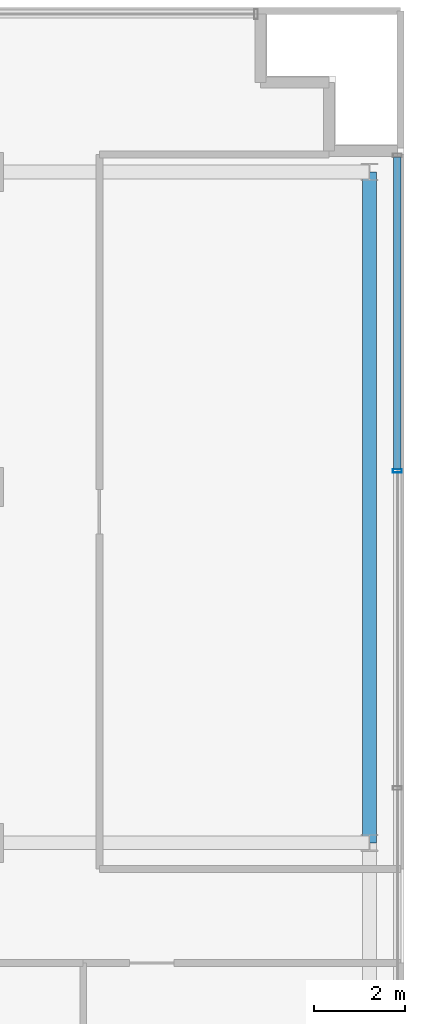
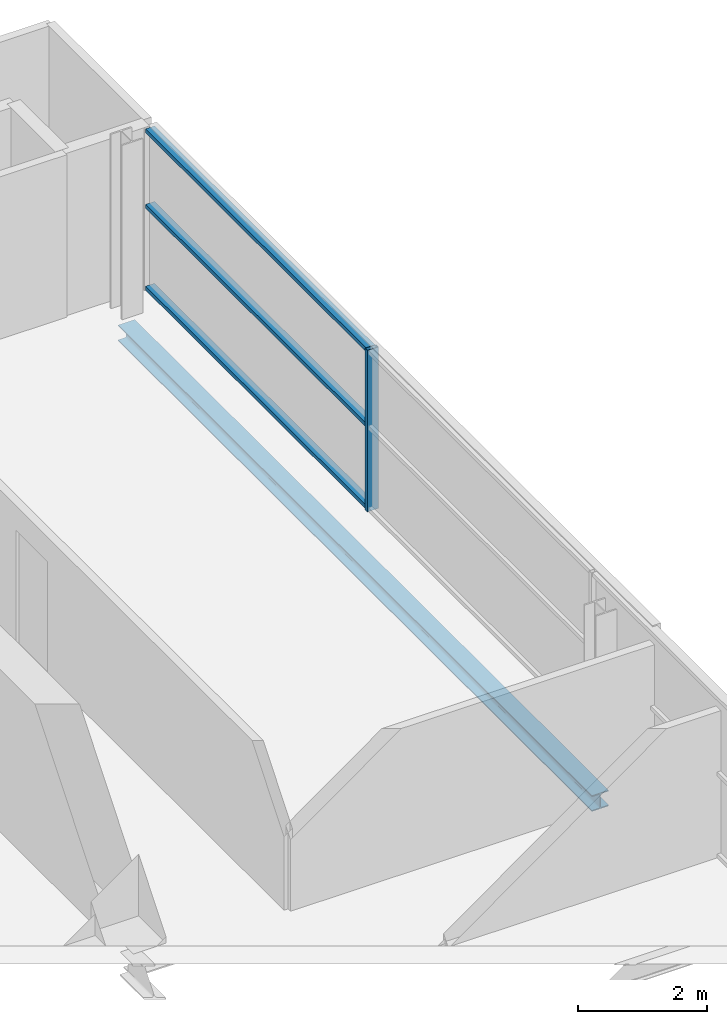
# One storey, part 10 of 21: 4 members, 1 beam, 1 element without a shape of its own.
"""IFC4 building model written with IfcOpenShell, lengths in metres."""

from ifc_helpers import new_model, si_unit, direction, frame, origin, origin_2d, place, context, subcontext, project, spatial, hollow_rectangle, i_section, extrude, source, transform, mapped, material, layer, layer_set, material_profile, profile_set, type_object, element, aggregate, save


model = new_model("IFC4")

# Units and contexts
model_context = context("Model", 3, precision=1e-05, world=origin(), true_north=direction((0.0, 1.0)))
body_context = subcontext(model_context, "Body", "Model", "MODEL_VIEW")
ifc_project = project(units=[si_unit("LENGTHUNIT", "METRE"), si_unit("AREAUNIT", "SQUARE_METRE"), si_unit("VOLUMEUNIT", "CUBIC_METRE"), si_unit("PLANEANGLEUNIT", "RADIAN"), si_unit("MASSUNIT", "GRAM", prefix="KILO")], contexts=[model_context])

# Site, building, storey
site_placement = place(None, origin())
site = spatial("IfcSite", under=ifc_project, at=site_placement, CompositionType="ELEMENT")
building_placement = place(site_placement, origin())
building = spatial("IfcBuilding", under=site, at=building_placement, Name="Zarnakvel Exchange Tower", CompositionType="ELEMENT")
storey_placement = place(building_placement, frame((0.0, 0.0, 241.89990234375)))
storey = spatial("IfcBuildingStorey", under=building, at=storey_placement, Name="L68", CompositionType="ELEMENT", Elevation=241.89990234375)

# Beam
ifc_material_1 = material(Name="Steel S355", Category="steel")
ifc_material_profile_1 = material_profile(ifc_material_1, i_section(OverallWidth=0.300048828125, OverallDepth=0.300048828125, WebThickness=0.010986328125, FlangeThickness=0.01904296875, FilletRadius=0.027099609375, at=origin_2d()))
ifc_profile_set_1 = profile_set([ifc_material_profile_1], Name="Steel S355")
beam_type = type_object("IfcBeamType", Name="SP-03", PredefinedType="SPANDREL", material=ifc_profile_set_1)
beam_placement = place(storey_placement, frame((22.85009765625, -1.199951171875, -0.375), z_axis=(0.0, 1.0, 0.0), x_axis=(-1.0, 0.0, 0.0)))
element("IfcBeam", 1, at=beam_placement, inside=storey, type_object=beam_type, Name="L68 Tower N-S Frame Beam", PredefinedType="SPANDREL", context=body_context, shape_type="SweptSolid", body=[
    extrude(i_section(OverallWidth=0.300048828125, OverallDepth=0.300048828125, WebThickness=0.010986328125, FlangeThickness=0.01904296875, FilletRadius=0.027099609375, at=origin_2d()), origin(), (0.0, 0.0, 1.0), 14.699951171875),
])

# Curtain wall, members
ifc_material_2 = material(Name="Architectural Bronze Anodised Aluminium", Category="aluminium")
ifc_layer = layer(ifc_material_2, 0.199951171875)
ifc_layer_set = layer_set([ifc_layer], Name="Architectural Bronze Anodised Aluminium")
curtain_wall_type = type_object("IfcCurtainWallType", Name="CW-04", PredefinedType="NOTDEFINED", material=ifc_layer_set)
curtain_wall_placement = place(storey_placement, origin())
curtain_wall = element("IfcCurtainWall", 2, at=curtain_wall_placement, inside=storey, type_object=curtain_wall_type, Name="L68 Curtain Wall CW-L68-E1 (CW-04)", PredefinedType="NOTDEFINED")
ifc_material_profile_2 = material_profile(ifc_material_2, hollow_rectangle(XDim=0.199951171875, YDim=0.074951171875, WallThickness=0.0048828125, at=origin_2d()))
ifc_profile_set_2 = profile_set([ifc_material_profile_2], Name="Architectural Bronze Anodised Aluminium")
member_type_1 = type_object("IfcMemberType", Name="CWM-04", PredefinedType="MULLION", material=ifc_profile_set_2)
shared_shape_1 = source(origin(), body_context, "Body", "SweptSolid", [
    extrude(hollow_rectangle(XDim=0.199951171875, YDim=0.074951171875, WallThickness=0.0048828125, at=origin_2d()), origin(), (0.0, 0.0, 1.0), 3.05517578125),
])
member_1_placement = place(storey_placement, frame((23.4599609375, 6.949951171875, 0.0), z_axis=(0.0, 0.0, 1.0), x_axis=(-1.0, 0.0, 0.0)))
member_1 = element("IfcMember", 3, at=member_1_placement, type_object=member_type_1, Name="CW-04 mullion 4", PredefinedType="MULLION", context=body_context, shape_type="MappedRepresentation", body=[
    mapped(shared_shape_1, transform((0.0, 0.0, 0.0), x_axis=(1.0, 0.0, 0.0), y_axis=(0.0, 1.0, 0.0), z_axis=(0.0, 0.0, 1.0), scale=1.0)),
])
ifc_material_profile_3 = material_profile(ifc_material_2, hollow_rectangle(XDim=0.159912109375, YDim=0.074951171875, WallThickness=0.00390625, at=origin_2d()))
ifc_profile_set_3 = profile_set([ifc_material_profile_3], Name="Architectural Bronze Anodised Aluminium")
member_type_2 = type_object("IfcMemberType", Name="CWT-04", PredefinedType="USERDEFINED", material=ifc_profile_set_3)
shared_shape_2 = source(origin(), body_context, "Body", "SweptSolid", [
    extrude(hollow_rectangle(XDim=0.159912109375, YDim=0.074951171875, WallThickness=0.00390625, at=origin_2d()), origin(), (0.0, 0.0, 1.0), 6.83740234375),
])
member_2_placement = place(storey_placement, frame((23.4599609375, 6.987548828125, 0.03759765625), z_axis=(0.0, 1.0, 0.0), x_axis=(-1.0, 0.0, 0.0)))
member_2 = element("IfcMember", 4, at=member_2_placement, type_object=member_type_2, Name="CW-04 transom 4.1", ObjectType="TRANSOM", PredefinedType="USERDEFINED", context=body_context, shape_type="MappedRepresentation", body=[
    mapped(shared_shape_2, transform((0.0, 0.0, 0.0), x_axis=(1.0, 0.0, 0.0), y_axis=(0.0, 1.0, 0.0), z_axis=(0.0, 0.0, 1.0), scale=1.0)),
])
member_3_placement = place(storey_placement, frame((23.4599609375, 6.987548828125, 1.588623046875), z_axis=(0.0, 1.0, 0.0), x_axis=(-1.0, 0.0, 0.0)))
member_3 = element("IfcMember", 5, at=member_3_placement, type_object=member_type_2, Name="CW-04 transom 4.2", ObjectType="TRANSOM", PredefinedType="USERDEFINED", context=body_context, shape_type="MappedRepresentation", body=[
    mapped(shared_shape_2, transform((0.0, 0.0, 0.0), x_axis=(1.0, 0.0, 0.0), y_axis=(0.0, 1.0, 0.0), z_axis=(0.0, 0.0, 1.0), scale=1.0)),
])
member_4_placement = place(storey_placement, frame((23.4599609375, 6.987548828125, 3.017578125), z_axis=(0.0, 1.0, 0.0), x_axis=(-1.0, 0.0, 0.0)))
member_4 = element("IfcMember", 6, at=member_4_placement, type_object=member_type_2, Name="CW-04 transom 4.3", ObjectType="TRANSOM", PredefinedType="USERDEFINED", context=body_context, shape_type="MappedRepresentation", body=[
    mapped(shared_shape_2, transform((0.0, 0.0, 0.0), x_axis=(1.0, 0.0, 0.0), y_axis=(0.0, 1.0, 0.0), z_axis=(0.0, 0.0, 1.0), scale=1.0)),
])
aggregate(curtain_wall, [member_1, member_2, member_3, member_4])

save(model, "model.ifc")
